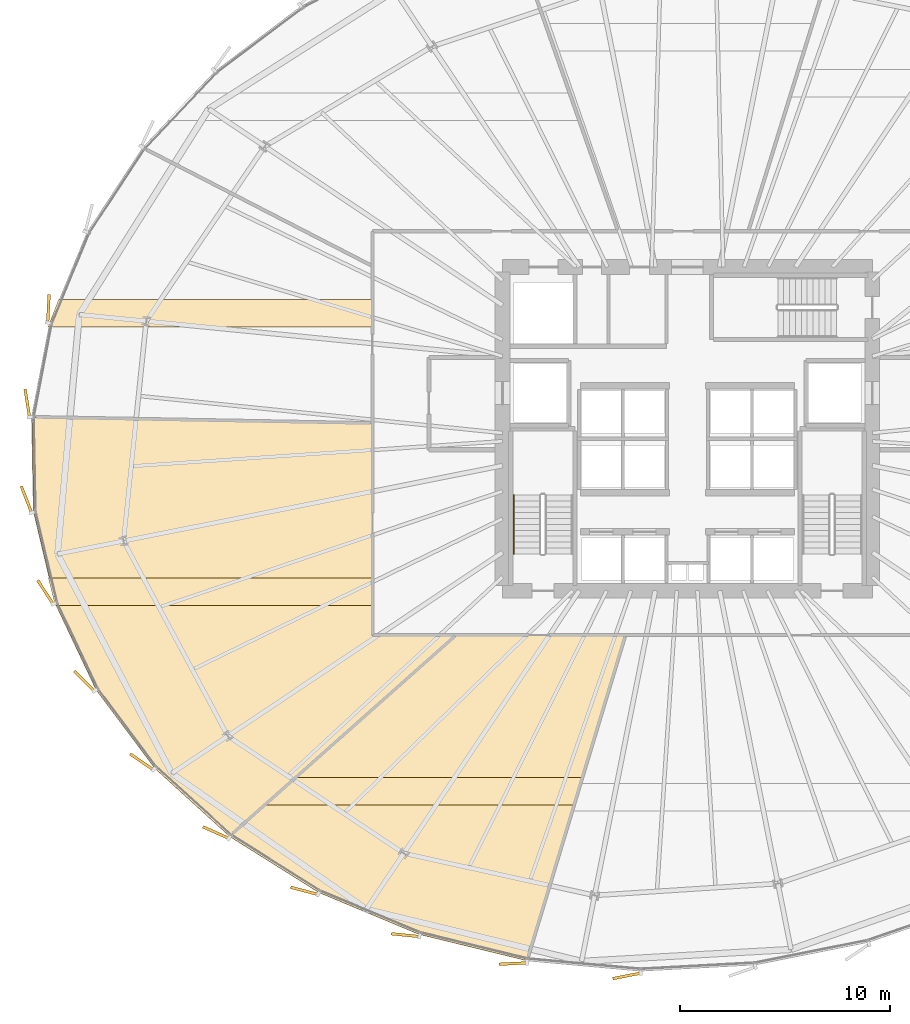
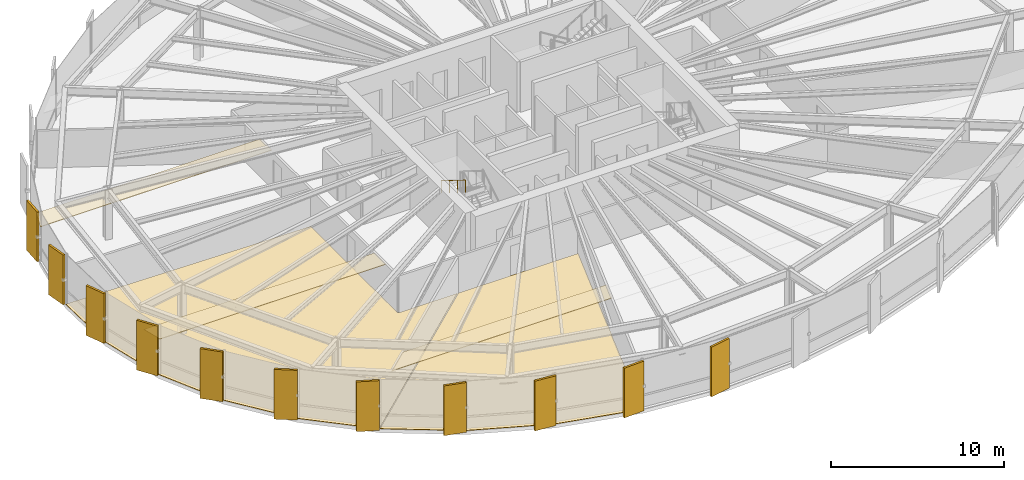
# One storey, part 33 of 37: 16 coverings, 1 railing.
"""IFC4 building model written with IfcOpenShell, lengths in metres."""

import ifcopenshell
import ifcopenshell.guid

model = None  # the IFC model being written
_history = None  # IfcOwnerHistory: only IFC2X3 demands one
_inside = {}  # id of a spatial element -> (the spatial element, [elements in it])
_under = {}  # id of a project, library or spatial element -> (it, [spatial elements below it])
_declared = {}  # id of a project -> (the project, [libraries it declares])
_typed = {}  # id of a type object -> (the type object, [elements of that type])
_made_of = {}  # id of a material, layer set ... -> (it, [elements and type objects made of it])


def new_model(schema):
    """Start an empty IFC model of exactly this schema.

    Asked for "IFC4X3", IfcOpenShell would pick the latest addendum, in which some entities
    have other attributes; the version numbers below select the first issue.
    IFC2X3 requires an IfcOwnerHistory on every rooted entity: one is made here for all.
    """
    global model, _history
    if schema == "IFC4X3":
        model = ifcopenshell.file(schema_version=(4, 3, 0, 0))
    else:
        model = ifcopenshell.file(schema=schema)
    _inside.clear()
    _under.clear()
    _declared.clear()
    _typed.clear()
    _made_of.clear()
    _history = None
    if model.schema == "IFC2X3":
        org = make("IfcOrganization", Name="unknown")
        user = make(
            "IfcPersonAndOrganization",
            ThePerson=make("IfcPerson", FamilyName="unknown"),
            TheOrganization=org,
        )
        app = make(
            "IfcApplication",
            ApplicationDeveloper=org,
            Version="unknown",
            ApplicationFullName="unknown",
            ApplicationIdentifier="unknown",
        )
        _history = make(
            "IfcOwnerHistory",
            OwningUser=user,
            OwningApplication=app,
            ChangeAction="ADDED",
            CreationDate=0,
        )
    return model


def make(cls, **values):
    """One entity of the class cls with the attributes given. An attribute that is None is left unset."""
    return model.create_entity(
        cls, **{name: value for name, value in values.items() if value is not None}
    )


def rooted(cls, **values):
    """An entity with a GlobalId (a new one), such as an element, a storey or a relation."""
    return make(cls, GlobalId=ifcopenshell.guid.new(), OwnerHistory=_history, **values)


def si_unit(unit_type, name, prefix=None):
    """IfcSIUnit, for example si_unit("LENGTHUNIT", "METRE", prefix="MILLI")."""
    return make("IfcSIUnit", UnitType=unit_type, Prefix=prefix, Name=name)


def assignment(units):
    """IfcUnitAssignment: the units of a project."""
    return None if units is None else make("IfcUnitAssignment", Units=units)


def point(xyz):
    """IfcCartesianPoint."""
    return None if xyz is None else make("IfcCartesianPoint", Coordinates=xyz)


def direction(xyz):
    """IfcDirection."""
    return None if xyz is None else make("IfcDirection", DirectionRatios=xyz)


def frame(location, z_axis=None, x_axis=None):
    """IfcAxis2Placement3D, a coordinate frame: its origin and axes. An axis left out is left unset."""
    return make(
        "IfcAxis2Placement3D",
        Location=point(location),
        Axis=direction(z_axis),
        RefDirection=direction(x_axis),
    )


def frame_2d(location, x_axis=None):
    """IfcAxis2Placement2D, a coordinate frame in the plane: its origin and x axis."""
    return make(
        "IfcAxis2Placement2D", Location=point(location), RefDirection=direction(x_axis)
    )


def origin():
    """The frame at (0, 0, 0) with its axes left unset."""
    return frame((0.0, 0.0, 0.0))


def origin_2d():
    """The frame at (0, 0) in the plane with its x axis left unset."""
    return frame_2d((0.0, 0.0))


def place(relative_to, where):
    """IfcLocalPlacement: puts the frame where relative to a parent placement (None: the world)."""
    return make(
        "IfcLocalPlacement", PlacementRelTo=relative_to, RelativePlacement=where
    )


def context(
    kind, dimensions, precision=None, world=None, true_north=None, identifier=None
):
    """IfcGeometricRepresentationContext, for example the 3D "Model" context."""
    return make(
        "IfcGeometricRepresentationContext",
        ContextIdentifier=identifier,
        ContextType=kind,
        CoordinateSpaceDimension=dimensions,
        Precision=precision,
        WorldCoordinateSystem=world,
        TrueNorth=true_north,
    )


def subcontext(parent, identifier, kind, view, scale=None):
    """IfcGeometricRepresentationSubContext, for example "Body" below "Model"."""
    return make(
        "IfcGeometricRepresentationSubContext",
        ContextIdentifier=identifier,
        ContextType=kind,
        ParentContext=parent,
        TargetScale=scale,
        TargetView=view,
    )


def project(units=None, contexts=None):
    """IfcProject with its units and contexts."""
    return rooted(
        "IfcProject",
        Name="project",
        RepresentationContexts=contexts,
        UnitsInContext=assignment(units),
    )


def spatial(cls, under=None, at=None, **own):
    """A site, building, storey or space (cls), placed at a placement, below another one or the project."""
    s = rooted(cls, ObjectPlacement=at, **own)
    if under is not None:
        _under.setdefault(under.id(), (under, []))[1].append(s)
    return s


def polyline(points):
    """IfcPolyline through the points."""
    return make("IfcPolyline", Points=[point(p) for p in points])


def profile(cls, at=None, kind="AREA", **sizes):
    """A parametric profile (cls). Its sizes go by their IFC names, for example OverallWidth=200.0."""
    return make(cls, ProfileType=kind, Position=at, **sizes)


def rectangle(**sizes):
    """IfcRectangleProfileDef."""
    return profile("IfcRectangleProfileDef", **sizes)


def circle(**sizes):
    """IfcCircleProfileDef."""
    return profile("IfcCircleProfileDef", **sizes)


def outline(outer, holes=None, kind="AREA"):
    """IfcArbitraryClosedProfileDef: a profile drawn as a closed curve; with holes, ...WithVoids."""
    if holes is None:
        return make("IfcArbitraryClosedProfileDef", ProfileType=kind, OuterCurve=outer)
    return make(
        "IfcArbitraryProfileDefWithVoids",
        ProfileType=kind,
        OuterCurve=outer,
        InnerCurves=holes,
    )


def extrude(swept, where, along, depth):
    """IfcExtrudedAreaSolid: the profile swept, set in the frame where, extruded along a direction by depth."""
    return make(
        "IfcExtrudedAreaSolid",
        SweptArea=swept,
        Position=where,
        ExtrudedDirection=direction(along),
        Depth=depth,
    )


def shape(context_of_items, identifier, shape_type, items):
    """IfcShapeRepresentation: the items that make up one representation, for example the "Body"."""
    return make(
        "IfcShapeRepresentation",
        ContextOfItems=context_of_items,
        RepresentationIdentifier=identifier,
        RepresentationType=shape_type,
        Items=items,
    )


def source(mapping_origin, context_of_items, identifier, shape_type, items):
    """IfcRepresentationMap: a shape defined once, which mapped items show again and again."""
    return make(
        "IfcRepresentationMap",
        MappingOrigin=mapping_origin,
        MappedRepresentation=shape(context_of_items, identifier, shape_type, items),
    )


def transform(
    local_origin,
    x_axis=None,
    y_axis=None,
    z_axis=None,
    scale=None,
    scale2=None,
    scale3=None,
    uniform=True,
):
    """IfcCartesianTransformationOperator3D, or its non-uniform kind. x_axis, y_axis, z_axis: its Axis1, 2, 3."""
    if uniform:
        return make(
            "IfcCartesianTransformationOperator3D",
            Axis1=direction(x_axis),
            Axis2=direction(y_axis),
            LocalOrigin=point(local_origin),
            Scale=scale,
            Axis3=direction(z_axis),
        )
    return make(
        "IfcCartesianTransformationOperator3DnonUniform",
        Axis1=direction(x_axis),
        Axis2=direction(y_axis),
        LocalOrigin=point(local_origin),
        Scale=scale,
        Axis3=direction(z_axis),
        Scale2=scale2,
        Scale3=scale3,
    )


def mapped(mapping_source, mapping_target):
    """IfcMappedItem: shows the shape of a source again, moved by a transform."""
    return make(
        "IfcMappedItem", MappingSource=mapping_source, MappingTarget=mapping_target
    )


def material(Name=None, Category=None):
    """IfcMaterial."""
    return make("IfcMaterial", Name=Name, Category=Category)


def layer(
    of_material, thickness, ventilated=None, Name=None, Category=None, Priority=None
):
    """IfcMaterialLayer: one layer of a wall or slab, of a material (None: an air gap)."""
    return make(
        "IfcMaterialLayer",
        Material=of_material,
        LayerThickness=thickness,
        IsVentilated=ventilated,
        Name=Name,
        Category=Category,
        Priority=Priority,
    )


def layer_set(layers, Name=None):
    """IfcMaterialLayerSet."""
    return make("IfcMaterialLayerSet", MaterialLayers=layers, LayerSetName=Name)


def made_of(thing, what):
    """Note that an element or type object is made of a material, layer set ...; save() writes the relation."""
    if what is not None:
        _made_of.setdefault(what.id(), (what, []))[1].append(thing)
    return thing


def type_object(cls, material=None, **own):
    """A type object (cls), such as IfcWallType, which elements share."""
    return made_of(rooted(cls, **own), material)


def element(
    cls,
    number,
    at=None,
    inside=None,
    cuts=None,
    type_object=None,
    material=None,
    context=None,
    identifier="Body",
    shape_type=None,
    held_by="IfcProductDefinitionShape",
    body=None,
    shapes=None,
    **own,
):
    """One element of the class cls, such as IfcWall. Its Tag is "e" and its number.

    at: its placement. inside: the storey or other place that contains it. cuts: it is an
    opening in that element (IfcRelVoidsElement). A single representation is given by context,
    identifier, shape_type and body (its items); several are given by shapes. held_by: the class
    of the entity that holds the representations. save() writes the other relations.
    """
    e = rooted(cls, Tag="e%d" % number, ObjectPlacement=at, **own)
    if body is not None:
        shapes = [shape(context, identifier, shape_type, body)]
    if shapes is not None:
        e.Representation = make(held_by, Representations=shapes)
    if inside is not None:
        _inside.setdefault(inside.id(), (inside, []))[1].append(e)
    if cuts is not None:
        rooted(
            "IfcRelVoidsElement", RelatingBuildingElement=cuts, RelatedOpeningElement=e
        )
    if type_object is not None:
        _typed.setdefault(type_object.id(), (type_object, []))[1].append(e)
    return made_of(e, material)


def aggregate(whole, parts):
    """IfcRelAggregates: a whole, such as a stair, and the parts it consists of."""
    return rooted("IfcRelAggregates", RelatingObject=whole, RelatedObjects=parts)


def save(model, path):
    """Write the relations noted so far, then the file.

    IfcRelAggregates (storeys below a building ...), IfcRelContainedInSpatialStructure (elements
    in a storey), IfcRelDefinesByType, IfcRelAssociatesMaterial and IfcRelDeclares: one each for
    every whole, place, type object, material and project.
    """
    for whole, parts in _under.values():
        aggregate(whole, parts)
    for where, things in _inside.values():
        rooted(
            "IfcRelContainedInSpatialStructure",
            RelatedElements=things,
            RelatingStructure=where,
        )
    for kind, things in _typed.values():
        rooted("IfcRelDefinesByType", RelatedObjects=things, RelatingType=kind)
    for what, things in _made_of.values():
        rooted("IfcRelAssociatesMaterial", RelatedObjects=things, RelatingMaterial=what)
    for by, libraries in _declared.values():
        rooted("IfcRelDeclares", RelatingContext=by, RelatedDefinitions=libraries)
    model.write(path)


model = new_model("IFC4")

# Units and contexts
model_context = context("Model", 3, precision=1e-05, world=origin(), true_north=direction((0.0, 1.0)))
body_context = subcontext(model_context, "Body", "Model", "MODEL_VIEW")
ifc_project = project(units=[si_unit("LENGTHUNIT", "METRE"), si_unit("AREAUNIT", "SQUARE_METRE"), si_unit("VOLUMEUNIT", "CUBIC_METRE"), si_unit("PLANEANGLEUNIT", "RADIAN"), si_unit("MASSUNIT", "GRAM", prefix="KILO"), si_unit("THERMODYNAMICTEMPERATUREUNIT", "KELVIN")], contexts=[model_context])

# Site, building, storey
site_placement = place(None, origin())
site = spatial("IfcSite", under=ifc_project, at=site_placement, CompositionType="ELEMENT")
building_placement = place(site_placement, origin())
building = spatial("IfcBuilding", under=site, at=building_placement, Name="Kethvar Cultural Tower", CompositionType="ELEMENT")
storey_placement = place(building_placement, frame((0.0, 0.0, 60.0)))
storey = spatial("IfcBuildingStorey", under=building, at=storey_placement, Name="L14", CompositionType="ELEMENT", Elevation=60.0)

# Coverings
ifc_material_1 = material(Name="Acoustic Mineral Fibre Ceiling")
ifc_layer_1 = layer(ifc_material_1, 0.0400390625, Name="Acoustic Mineral Fibre Ceiling")
ifc_layer_set_1 = layer_set([ifc_layer_1], Name="Acoustic Mineral Fibre Ceiling (40 mm)")
covering_type_1 = type_object("IfcCoveringType", Name="CV-ACOUSTIC-CEIL", PredefinedType="CEILING", material=ifc_layer_set_1)
covering_1_placement = place(storey_placement, frame((0.0, 0.0, 2.56005859375)))
element("IfcCovering", 1, at=covering_1_placement, inside=storey, type_object=covering_type_1, Name="L14 Room 01 Acoustic Ceiling Panel", PredefinedType="CEILING", context=body_context, shape_type="SweptSolid", body=[
    extrude(outline(polyline([(28.1689453125, 11.213623046875), (41.83203125, 11.213623046875), (41.43798828125, 9.90380859375), (26.69970703125, 9.90380859375), (28.1689453125, 11.213623046875)])), origin(), (0.0, 0.0, 1.0), 0.0400390625),
])
covering_2_placement = place(storey_placement, frame((0.0, 0.0, 2.56005859375)))
element("IfcCovering", 2, at=covering_2_placement, inside=storey, type_object=covering_type_1, Name="L14 Room 09 Acoustic Ceiling Panel", PredefinedType="CEILING", context=body_context, shape_type="SweptSolid", body=[
    extrude(outline(polyline([(16.37939453125, 32.646728515625), (16.877685546875, 33.956787109375), (31.830078125, 33.956787109375), (31.830078125, 32.646728515625), (16.37939453125, 32.646728515625)])), origin(), (0.0, 0.0, 1.0), 0.0400390625),
])
covering_3_placement = place(storey_placement, frame((0.0, 0.0, 2.56005859375)))
element("IfcCovering", 3, at=covering_3_placement, inside=storey, type_object=covering_type_1, Name="L14 Room 10 Acoustic Ceiling Panel", PredefinedType="CEILING", context=body_context, shape_type="SweptSolid", body=[
    extrude(outline(polyline([(16.72119140625, 19.388916015625), (16.388671875, 20.698974609375), (31.830078125, 20.698974609375), (31.830078125, 19.388916015625), (16.72119140625, 19.388916015625)])), origin(), (0.0, 0.0, 1.0), 0.0400390625),
])
ifc_material_2 = material(Name="Architectural Oak Timber", Category="wood")
ifc_layer_2 = layer(ifc_material_2, 0.02490234375, Name="Architectural Oak Timber", Category="wood")
ifc_layer_set_2 = layer_set([ifc_layer_2], Name="Architectural Oak Timber (25 mm)")
covering_type_2 = type_object("IfcCoveringType", Name="CV-OAK-FLOOR", PredefinedType="FLOORING", material=ifc_layer_set_2)
covering_4_placement = place(storey_placement, origin())
element("IfcCovering", 4, at=covering_4_placement, inside=storey, type_object=covering_type_2, Name="L14 Room 01 Floor Finish", PredefinedType="FLOORING", context=body_context, shape_type="SweptSolid", body=[
    extrude(outline(polyline([(34.029541015625, 3.7451171875), (29.263916015625, 5.734619140625), (25.05224609375, 8.381103515625), (35.794677734375, 17.9599609375), (43.8193359375, 17.9599609375), (39.16650390625, 2.490966796875), (34.029541015625, 3.7451171875)])), origin(), (0.0, 0.0, 1.0), 0.02490234375),
])
covering_5_placement = place(storey_placement, origin())
element("IfcCovering", 5, at=covering_5_placement, inside=storey, type_object=covering_type_2, Name="L14 Room 10 Floor Finish", PredefinedType="FLOORING", context=body_context, shape_type="SweptSolid", body=[
    extrude(outline(polyline([(21.460205078125, 11.643310546875), (18.6591796875, 15.383056640625), (16.713134765625, 19.5), (15.680908203125, 23.86865234375), (15.594482421875, 28.33837890625), (31.7900390625, 28.048583984375), (31.79150390625, 17.972412109375), (35.734619140625, 17.9599609375), (25.01904296875, 8.405029296875), (21.460205078125, 11.643310546875)])), origin(), (0.0, 0.0, 1.0), 0.02490234375),
])

# Railing
ifc_material_3 = material(Name="Steel S355J2", Category="steel")
railing_type = type_object("IfcRailingType", Name="RL-STAIR-HANDRAIL", PredefinedType="HANDRAIL", material=ifc_material_3)
railing_placement = place(storey_placement, frame((38.5400390625, 24.64990234375, 2.07275390625)))
element("IfcRailing", 6, at=railing_placement, inside=storey, type_object=railing_type, Name="L14 ST-01 stair handrail 2", PredefinedType="HANDRAIL", context=body_context, shape_type="SweptSolid", body=[
    extrude(circle(Radius=0.02392578125, at=origin_2d()), frame((0.0, 0.0, 0.8759765625), z_axis=(0.0, -0.851069175582, 0.525053576669), x_axis=(1.0, 0.0, 0.0)), (0.0, 0.0, 1.0), 3.289794921875),
    extrude(circle(Radius=0.02099609375, at=origin_2d()), origin(), (0.0, 0.0, 1.0), 0.851806640625),
    extrude(circle(Radius=0.02099609375, at=origin_2d()), frame((0.0, -0.933349609375, 0.57568359375)), (0.0, 0.0, 1.0), 0.851806640625),
    extrude(circle(Radius=0.02099609375, at=origin_2d()), frame((0.0, -1.866455078125, 1.151611328125)), (0.0, 0.0, 1.0), 0.851806640625),
    extrude(circle(Radius=0.02099609375, at=origin_2d()), frame((0.0, -2.7998046875, 1.727294921875)), (0.0, 0.0, 1.0), 0.851806640625),
])

# Coverings
ifc_material_4 = material(Name="Extruded Architectural Terracotta", Category="masonry")
ifc_layer_3 = layer(ifc_material_4, 0.135009765625, Name="Extruded Architectural Terracotta", Category="masonry")
ifc_layer_set_3 = layer_set([ifc_layer_3], Name="Extruded Architectural Terracotta (135 mm)")
covering_type_3 = type_object("IfcCoveringType", Name="Terracotta Facade Fin FIN-01", PredefinedType="CLADDING", material=ifc_layer_set_3)
shared_shape = source(origin(), body_context, "Body", "SweptSolid", [
    extrude(rectangle(XDim=1.35009765625, YDim=0.135009765625, at=origin_2d()), origin(), (0.0, 0.0, 1.0), 3.510009765625),
])
for number, where, z_axis, x_axis, name in (
    (7, (16.3916015625, 33.5234375, 0.02001953125), (0.0, 0.0, 1.0), (0.050592940077, 0.998719357184, 0.0), "L14 Vertical Terracotta Fin 3.5"),
    (8, (15.38720703125, 29.023681640625, 0.02001953125), (0.0, 0.0, 1.0), (-0.158330401065, 0.987386187922, 0.0), "L14 Vertical Terracotta Fin 3.6"),
    (9, (15.347900390625, 24.435791015625, 0.02001953125), (0.0, 0.0, 1.0), (-0.363088614146, 0.931754612695, 0.0), "L14 Vertical Terracotta Fin 4.1"),
    (10, (16.251220703125, 20.023193359375, 0.02001953125), (0.0, 0.0, 1.0), (-0.549022817998, 0.835807361368, 0.0), "L14 Vertical Terracotta Fin 4.2"),
    (11, (18.101806640625, 15.803466796875, 0.02001953125), (0.0, 0.0, 1.0), (-0.705005643726, 0.709201693677, 0.0), "L14 Vertical Terracotta Fin 4.3"),
    (12, (20.833984375, 11.950927734375, 0.02001953125), (0.0, 0.0, 1.0), (-0.826098294496, 0.563526048938, 0.0), "L14 Vertical Terracotta Fin 4.4"),
    (13, (24.3603515625, 8.58642578125, 0.02001953125), (0.0, 0.0, 1.0), (-0.912548886365, 0.408967639299, 0.0), "L14 Vertical Terracotta Fin 4.5"),
    (14, (28.57080078125, 5.813720703125, 0.02001953125), (0.0, 0.0, 1.0), (-0.96744467351, 0.253082602519, 0.0), "L14 Vertical Terracotta Fin 4.6"),
    (15, (33.373779296875, 3.705810546875, 0.02001953125), (0.0, 0.0, 1.0), (-0.995020840207, 0.099667083604, 0.0), "L14 Vertical Terracotta Fin 5.1"),
    (16, (38.498779296875, 2.354248046875, 0.02001953125), (0.0, 0.0, 1.0), (-0.998797596236, -0.049024093608, 0.0), "L14 Vertical Terracotta Fin 5.2"),
    (17, (43.910400390625, 1.767822265625, 0.02001953125), (0.0, 0.0, 1.0), (-0.981292663992, -0.192521966526, 0.0), "L14 Vertical Terracotta Fin 5.3"),
):
    element("IfcCovering", number, at=place(storey_placement, frame(where, z_axis=z_axis, x_axis=x_axis)), inside=storey, type_object=covering_type_3, Name=name, PredefinedType="CLADDING", context=body_context, shape_type="MappedRepresentation", body=[
        mapped(shared_shape, transform((0.0, 0.0, 0.0), scale=1.0)),
    ])

save(model, "model.ifc")
